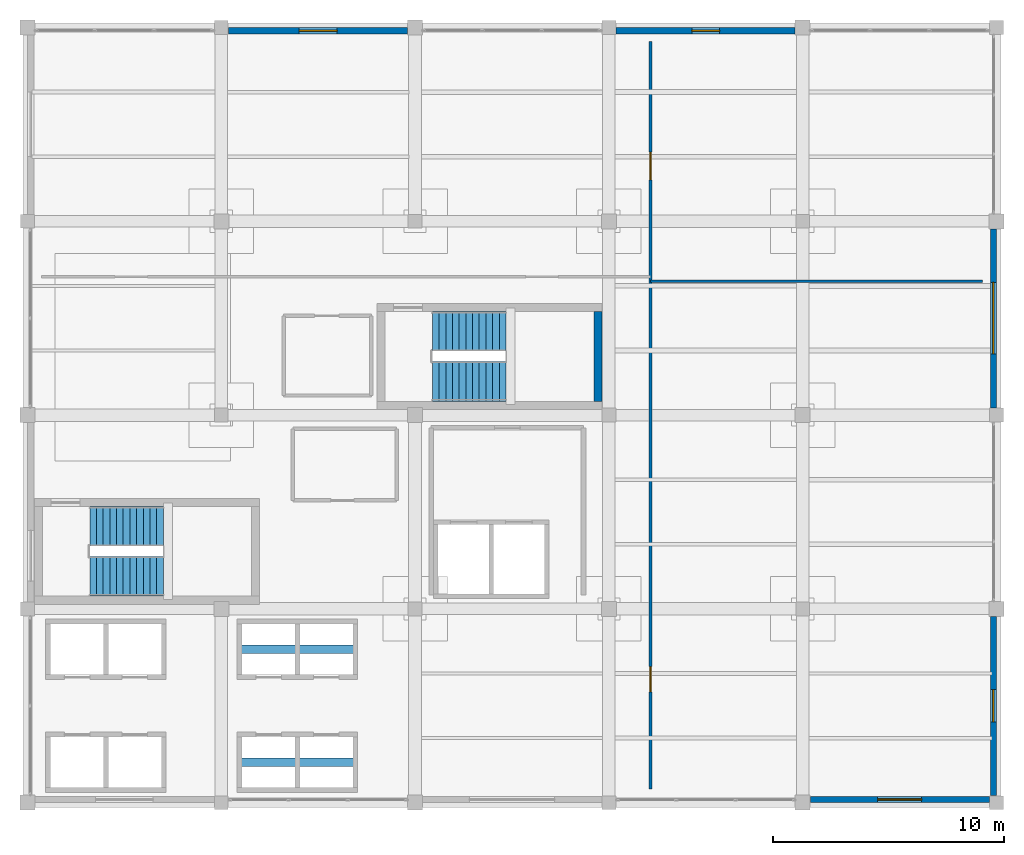
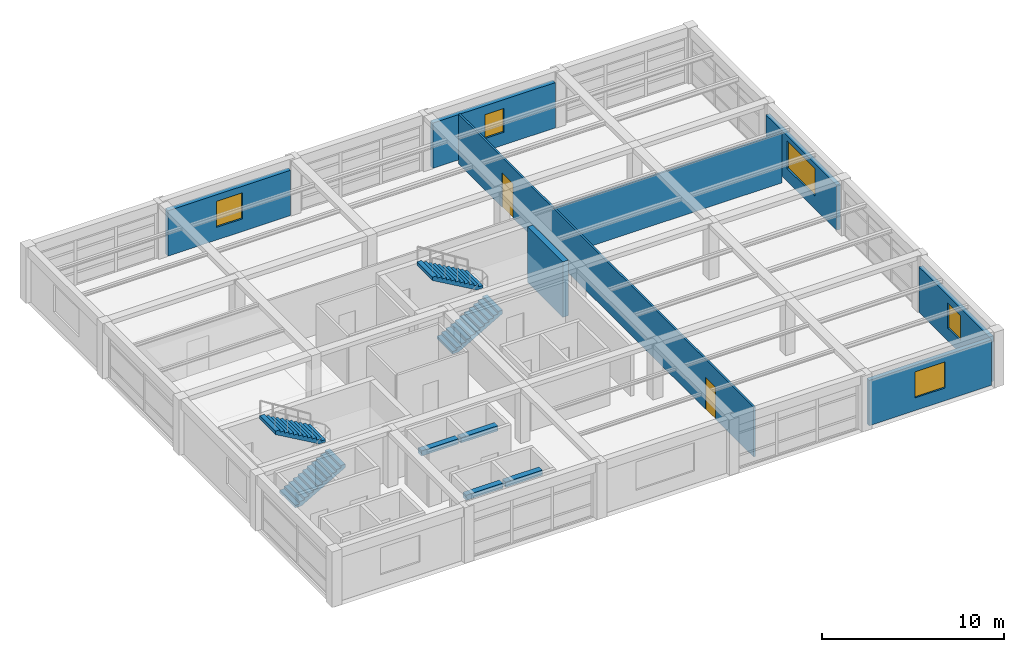
# One storey, part 25 of 26: 8 walls, 5 windows, 4 discrete accessories, 4 stair flights, 2 doors, 7 openings, 2 elements without a shape of their own.
"""IFC4 building model written with IfcOpenShell, lengths in metres."""

from ifc_helpers import new_model, si_unit, direction, frame, frame_2d, origin, origin_2d, place, context, subcontext, project, spatial, polyline, rectangle, outline, extrude, material, layer, layer_set, type_object, element, fill, aggregate, save


model = new_model("IFC4")

# Units and contexts
model_context = context("Model", 3, precision=1e-05, world=origin(), true_north=direction((0.0, 1.0)))
body_context = subcontext(model_context, "Body", "Model", "MODEL_VIEW")
ifc_project = project(units=[si_unit("LENGTHUNIT", "METRE"), si_unit("AREAUNIT", "SQUARE_METRE"), si_unit("VOLUMEUNIT", "CUBIC_METRE"), si_unit("PLANEANGLEUNIT", "RADIAN"), si_unit("MASSUNIT", "GRAM", prefix="KILO")], contexts=[model_context])

# Site, building, storey
site_placement = place(None, origin())
site = spatial("IfcSite", under=ifc_project, at=site_placement, CompositionType="ELEMENT")
building_placement = place(site_placement, origin())
building = spatial("IfcBuilding", under=site, at=building_placement, Name="Almacenes y Pasaje Nevantli", CompositionType="ELEMENT")
storey_placement = place(building_placement, frame((0.0, 0.0, 46.699951171875)))
storey = spatial("IfcBuildingStorey", under=building, at=storey_placement, Name="L11", CompositionType="ELEMENT", Elevation=46.699951171875)

# Wall
ifc_material_1 = material(Name="Concrete C45/55", Category="concrete")
ifc_layer_1 = layer(ifc_material_1, 0.35009765625)
ifc_layer_set_1 = layer_set([ifc_layer_1], Name="Concrete C45/55")
wall_type_1 = type_object("IfcWallType", Name="WL-CORE-350", PredefinedType="SHEAR", material=ifc_layer_set_1)
wall_1_placement = place(storey_placement, frame((142.324951171875, 84.60009765625, 0.0), z_axis=(0.0, 0.0, 1.0), x_axis=(0.0, 1.0, 0.0)))
element("IfcWall", 1, at=wall_1_placement, inside=storey, type_object=wall_type_1, Name="L11 Exit Stair ST-02 East Core Shear Wall", PredefinedType="SHEAR", context=body_context, shape_type="SweptSolid", body=[
    extrude(rectangle(XDim=3.889892578125, YDim=0.35009765625, at=frame_2d((1.94482421875, 0.0))), origin(), (0.0, 0.0, 1.0), 3.719970703125),
])

# Wall, opening, window
ifc_material_2 = material(Name="Architectural Precast Concrete C35/45 Spandrel Wall", Category="concrete")
ifc_layer_2 = layer(ifc_material_2, 0.280029296875)
ifc_layer_set_2 = layer_set([ifc_layer_2], Name="Architectural Precast Concrete C35/45 Spandrel Wall")
wall_type_2 = type_object("IfcWallType", Name="WL-EXT-CANTERA-280", PredefinedType="SOLIDWALL", material=ifc_layer_set_2)
wall_2_placement = place(storey_placement, frame((126.303955078125, 100.659912109375, 0.0), z_axis=(0.0, 0.0, 1.0), x_axis=(1.0, 0.0, 0.0)))
wall_2 = element("IfcWall", 2, at=wall_2_placement, inside=storey, type_object=wall_type_2, Name="L11 Tower North Polychrome Cantera Wall Bay 16", PredefinedType="SOLIDWALL", context=body_context, shape_type="SweptSolid", body=[
    extrude(rectangle(XDim=7.76806640625, YDim=0.280029296875, at=frame_2d((3.884033203125, 0.0))), origin(), (0.0, 0.0, 1.0), 3.0400390625),
])
opening_1_placement = place(wall_2_placement, frame((3.071044921875, 0.0, 0.85009765625)))
opening_1 = element("IfcOpeningElement", 3, at=opening_1_placement, cuts=wall_2, Name="Opening WT-33-242", PredefinedType="OPENING", context=body_context, shape_type="SweptSolid", body=[
    extrude(rectangle(XDim=1.64990234375, YDim=1.75, at=frame_2d((0.824951171875, 0.875))), frame((0.0, 0.14990234375, 0.0), z_axis=(0.0, -1.0, 0.0), x_axis=(1.0, 0.0, 0.0)), (0.0, 0.0, 1.0), 0.300048828125),
])
ifc_material_3 = material(Name="Thermally Broken Aluminium and Low-E Double Glazing", Category="aluminium")
window_type_1 = type_object("IfcWindowType", Name="WN-TWR-1650x1750", PartitioningType="SINGLE_PANEL", PredefinedType="WINDOW", material=ifc_material_3)
window_1_placement = place(opening_1_placement, origin())
window_1 = element("IfcWindow", 4, at=window_1_placement, inside=storey, type_object=window_type_1, Name="L11 Exterior Window WT-33 #242", OverallHeight=1.75, OverallWidth=1.64990234375, PartitioningType="SINGLE_PANEL", PredefinedType="WINDOW", context=body_context, shape_type="SweptSolid", body=[
    extrude(rectangle(XDim=1.64990234375, YDim=1.75, at=frame_2d((0.824951171875, 0.875))), frame((0.0, 0.030029296875, 0.0), z_axis=(0.0, -1.0, 0.0), x_axis=(1.0, 0.0, 0.0)), (0.0, 0.0, 1.0), 0.06005859375),
])
fill(opening_1, window_1)

wall_3_placement = place(storey_placement, frame((143.10400390625, 100.659912109375, 0.0), z_axis=(0.0, 0.0, 1.0), x_axis=(1.0, 0.0, 0.0)))
wall_3 = element("IfcWall", 5, at=wall_3_placement, inside=storey, type_object=wall_type_2, Name="L11 Tower North Polychrome Cantera Wall Bay 18", PredefinedType="SOLIDWALL", context=body_context, shape_type="SweptSolid", body=[
    extrude(rectangle(XDim=7.76806640625, YDim=0.280029296875, at=frame_2d((3.884033203125, 0.0))), origin(), (0.0, 0.0, 1.0), 3.0400390625),
])
opening_2_placement = place(wall_3_placement, frame((3.2958984375, 0.0, 0.85009765625)))
opening_2 = element("IfcOpeningElement", 6, at=opening_2_placement, cuts=wall_3, Name="Opening WT-35-244", PredefinedType="OPENING", context=body_context, shape_type="SweptSolid", body=[
    extrude(rectangle(XDim=1.199951171875, YDim=1.60009765625, at=frame_2d((0.60009765625, 0.800048828125))), frame((0.0, 0.14990234375, 0.0), z_axis=(0.0, -1.0, 0.0), x_axis=(1.0, 0.0, 0.0)), (0.0, 0.0, 1.0), 0.300048828125),
])
ifc_material_4 = material(Name="Thermally Broken Aluminium and Low-E Double Glazing", Category="aluminium")
window_type_2 = type_object("IfcWindowType", Name="WN-TWR-1200x1600", PartitioningType="SINGLE_PANEL", PredefinedType="WINDOW", material=ifc_material_4)
window_2_placement = place(opening_2_placement, origin())
window_2 = element("IfcWindow", 7, at=window_2_placement, inside=storey, type_object=window_type_2, Name="L11 Exterior Window WT-35 #244", OverallHeight=1.60009765625, OverallWidth=1.199951171875, PartitioningType="SINGLE_PANEL", PredefinedType="WINDOW", context=body_context, shape_type="SweptSolid", body=[
    extrude(rectangle(XDim=1.199951171875, YDim=1.60009765625, at=frame_2d((0.60009765625, 0.800048828125))), frame((0.0, 0.030029296875, 0.0), z_axis=(0.0, -1.0, 0.0), x_axis=(1.0, 0.0, 0.0)), (0.0, 0.0, 1.0), 0.06005859375),
])
fill(opening_2, window_2)

ifc_material_5 = material(Name="Cream Architectural Precast Concrete C35/45 Wall", Category="concrete")
ifc_layer_3 = layer(ifc_material_5, 0.260009765625)
ifc_layer_set_3 = layer_set([ifc_layer_3], Name="Cream Architectural Precast Concrete C35/45 Wall")
wall_type_3 = type_object("IfcWallType", Name="WL-EXT-PRECAST-260", PredefinedType="SOLIDWALL", material=ifc_layer_set_3)
wall_4_placement = place(storey_placement, frame((151.528076171875, 67.340087890625, 0.0), z_axis=(0.0, 0.0, 1.0), x_axis=(1.0, 0.0, 0.0)))
wall_4 = element("IfcWall", 8, at=wall_4_placement, inside=storey, type_object=wall_type_3, Name="L11 Tower South Precast Spandrel Wall Bay 19", PredefinedType="SOLIDWALL", context=body_context, shape_type="SweptSolid", body=[
    extrude(rectangle(XDim=7.767822265625, YDim=0.260009765625, at=frame_2d((3.8837890625, 0.0))), origin(), (0.0, 0.0, 1.0), 3.0400390625),
])
opening_3_placement = place(wall_4_placement, frame((2.922119140625, 0.0, 0.85009765625)))
opening_3 = element("IfcOpeningElement", 9, at=opening_3_placement, cuts=wall_4, Name="Opening WT-32-245", PredefinedType="OPENING", context=body_context, shape_type="SweptSolid", body=[
    extrude(rectangle(XDim=1.89990234375, YDim=1.75, at=frame_2d((0.949951171875, 0.875))), frame((0.0, 0.139892578125, 0.0), z_axis=(0.0, -1.0, 0.0), x_axis=(1.0, 0.0, 0.0)), (0.0, 0.0, 1.0), 0.280029296875),
])
ifc_material_6 = material(Name="Thermally Broken Aluminium and Low-E Double Glazing", Category="aluminium")
window_type_3 = type_object("IfcWindowType", Name="WN-TWR-1900x1750", PartitioningType="SINGLE_PANEL", PredefinedType="WINDOW", material=ifc_material_6)
window_3_placement = place(opening_3_placement, origin())
window_3 = element("IfcWindow", 10, at=window_3_placement, inside=storey, type_object=window_type_3, Name="L11 Exterior Window WT-32 #245", OverallHeight=1.75, OverallWidth=1.89990234375, PartitioningType="SINGLE_PANEL", PredefinedType="WINDOW", context=body_context, shape_type="SweptSolid", body=[
    extrude(rectangle(XDim=1.89990234375, YDim=1.75, at=frame_2d((0.949951171875, 0.875))), frame((0.0, 0.030029296875, 0.0), z_axis=(0.0, -1.0, 0.0), x_axis=(1.0, 0.0, 0.0)), (0.0, 0.0, 1.0), 0.06005859375),
])
fill(opening_3, window_3)

wall_5_placement = place(storey_placement, frame((159.4599609375, 67.50390625, 0.0), z_axis=(0.0, 0.0, 1.0), x_axis=(0.0, 1.0, 0.0)))
wall_5 = element("IfcWall", 11, at=wall_5_placement, inside=storey, type_object=wall_type_3, Name="L11 Tower East Precast Wall Bay 9", PredefinedType="SOLIDWALL", context=body_context, shape_type="SweptSolid", body=[
    extrude(rectangle(XDim=7.76806640625, YDim=0.260009765625, at=frame_2d((3.884033203125, 0.0))), origin(), (0.0, 0.0, 1.0), 3.0400390625),
])
opening_4_placement = place(wall_5_placement, frame((3.196044921875, 0.0, 0.85009765625)))
opening_4 = element("IfcOpeningElement", 12, at=opening_4_placement, cuts=wall_5, Name="Opening WT-34-246", PredefinedType="OPENING", context=body_context, shape_type="SweptSolid", body=[
    extrude(rectangle(XDim=1.39990234375, YDim=1.699951171875, at=frame_2d((0.699951171875, 0.85009765625))), frame((0.0, 0.139892578125, 0.0), z_axis=(0.0, -1.0, 0.0), x_axis=(1.0, 0.0, 0.0)), (0.0, 0.0, 1.0), 0.280029296875),
])
ifc_material_7 = material(Name="Thermally Broken Aluminium and Low-E Double Glazing", Category="aluminium")
window_type_4 = type_object("IfcWindowType", Name="WN-TWR-1400x1700", PartitioningType="SINGLE_PANEL", PredefinedType="WINDOW", material=ifc_material_7)
window_4_placement = place(opening_4_placement, origin())
window_4 = element("IfcWindow", 13, at=window_4_placement, inside=storey, type_object=window_type_4, Name="L11 Exterior Window WT-34 #246", OverallHeight=1.699951171875, OverallWidth=1.39990234375, PartitioningType="SINGLE_PANEL", PredefinedType="WINDOW", context=body_context, shape_type="SweptSolid", body=[
    extrude(rectangle(XDim=1.39990234375, YDim=1.699951171875, at=frame_2d((0.699951171875, 0.85009765625))), frame((0.0, 0.030029296875, 0.0), z_axis=(0.0, -1.0, 0.0), x_axis=(1.0, 0.0, 0.0)), (0.0, 0.0, 1.0), 0.06005859375),
])
fill(opening_4, window_4)

wall_6_placement = place(storey_placement, frame((159.4599609375, 84.303955078125, 0.0), z_axis=(0.0, 0.0, 1.0), x_axis=(0.0, 1.0, 0.0)))
wall_6 = element("IfcWall", 14, at=wall_6_placement, inside=storey, type_object=wall_type_3, Name="L11 Tower East Precast Wall Bay 11", PredefinedType="SOLIDWALL", context=body_context, shape_type="SweptSolid", body=[
    extrude(rectangle(XDim=7.76806640625, YDim=0.260009765625, at=frame_2d((3.884033203125, 0.0))), origin(), (0.0, 0.0, 1.0), 3.0400390625),
])
opening_5_placement = place(wall_6_placement, frame((2.345947265625, 0.0, 0.85009765625)))
opening_5 = element("IfcOpeningElement", 15, at=opening_5_placement, cuts=wall_6, Name="Opening WT-28-248", PredefinedType="OPENING", context=body_context, shape_type="SweptSolid", body=[
    extrude(rectangle(XDim=3.10009765625, YDim=1.85009765625, at=frame_2d((1.550048828125, 0.925048828125))), frame((0.0, 0.139892578125, 0.0), z_axis=(0.0, -1.0, 0.0), x_axis=(1.0, 0.0, 0.0)), (0.0, 0.0, 1.0), 0.280029296875),
])
ifc_material_8 = material(Name="Thermally Broken Aluminium and Low-E Double Glazing", Category="aluminium")
window_type_5 = type_object("IfcWindowType", Name="WN-TWR-3100x1850", PartitioningType="SINGLE_PANEL", PredefinedType="WINDOW", material=ifc_material_8)
window_5_placement = place(opening_5_placement, origin())
window_5 = element("IfcWindow", 16, at=window_5_placement, inside=storey, type_object=window_type_5, Name="L11 Exterior Window WT-28 #248", OverallHeight=1.85009765625, OverallWidth=3.10009765625, PartitioningType="SINGLE_PANEL", PredefinedType="WINDOW", context=body_context, shape_type="SweptSolid", body=[
    extrude(rectangle(XDim=3.10009765625, YDim=1.85009765625, at=frame_2d((1.550048828125, 0.925048828125))), frame((0.0, 0.030029296875, 0.0), z_axis=(0.0, -1.0, 0.0), x_axis=(1.0, 0.0, 0.0)), (0.0, 0.0, 1.0), 0.06005859375),
])
fill(opening_5, window_5)

# Wall, openings, doors
ifc_material_9 = material(Name="Standard Steel-Stud Gypsum Partition", Category="steel")
ifc_layer_4 = layer(ifc_material_9, 0.1201171875)
ifc_layer_set_4 = layer_set([ifc_layer_4], Name="Standard Steel-Stud Gypsum Partition")
wall_type_4 = type_object("IfcWallType", Name="WL-PART-120", PredefinedType="PARTITIONING", material=ifc_layer_set_4)
wall_7_placement = place(storey_placement, frame((144.60009765625, 67.800048828125, 0.0), z_axis=(0.0, 0.0, 1.0), x_axis=(0.0, 1.0, 0.0)))
wall_7 = element("IfcWall", 17, at=wall_7_placement, inside=storey, type_object=wall_type_4, Name="L11 Interior Partition Wall IW-120 #200", PredefinedType="PARTITIONING", context=body_context, shape_type="SweptSolid", body=[
    extrude(rectangle(XDim=32.39990234375, YDim=0.1201171875, at=frame_2d((16.199951171875, 0.0))), origin(), (0.0, 0.0, 1.0), 3.340087890625),
])
opening_6_placement = place(wall_7_placement, frame((4.199951171875, 0.0, 0.0)))
opening_6 = element("IfcOpeningElement", 18, at=opening_6_placement, cuts=wall_7, Name="Opening ID-L11-109", PredefinedType="OPENING", context=body_context, shape_type="SweptSolid", body=[
    extrude(rectangle(XDim=1.10009765625, YDim=2.14990234375, at=frame_2d((0.550048828125, 1.074951171875))), frame((0.0, 0.070068359375, 0.0), z_axis=(0.0, -1.0, 0.0), x_axis=(1.0, 0.0, 0.0)), (0.0, 0.0, 1.0), 0.14013671875),
])
opening_7_placement = place(wall_7_placement, frame((26.39990234375, 0.0, 0.0)))
opening_7 = element("IfcOpeningElement", 19, at=opening_7_placement, cuts=wall_7, Name="Opening ID-L11-110", PredefinedType="OPENING", context=body_context, shape_type="SweptSolid", body=[
    extrude(rectangle(XDim=1.199951171875, YDim=2.300048828125, at=frame_2d((0.60009765625, 1.14990234375))), frame((0.0, 0.070068359375, 0.0), z_axis=(0.0, -1.0, 0.0), x_axis=(1.0, 0.0, 0.0)), (0.0, 0.0, 1.0), 0.14013671875),
])
ifc_material_10 = material(Name="Anodized Aluminium and Tempered Acoustic Glass", Category="aluminium")
door_type_1 = type_object("IfcDoorType", Name="DR-ACU-1200R", OperationType="SINGLE_SWING_RIGHT", PredefinedType="DOOR", material=ifc_material_10)
door_1_placement = place(opening_7_placement, origin())
door_1 = element("IfcDoor", 20, at=door_1_placement, inside=storey, type_object=door_type_1, Name="L11 L11 Conference Metepec Door", OperationType="SINGLE_SWING_RIGHT", OverallHeight=2.300048828125, OverallWidth=1.199951171875, PredefinedType="DOOR", context=body_context, shape_type="SweptSolid", body=[
    extrude(rectangle(XDim=1.199951171875, YDim=2.300048828125, at=frame_2d((0.60009765625, 1.14990234375))), frame((0.0, 0.02490234375, 0.0), z_axis=(0.0, -1.0, 0.0), x_axis=(1.0, 0.0, 0.0)), (0.0, 0.0, 1.0), 0.050048828125),
])
fill(opening_7, door_1)
ifc_material_11 = material(Name="Powder-Coated Hollow Metal", Category="steel")
door_type_2 = type_object("IfcDoorType", Name="DR-INT-1100", OperationType="SINGLE_SWING_LEFT", PredefinedType="DOOR", material=ifc_material_11)
door_2_placement = place(opening_6_placement, origin())
door_2 = element("IfcDoor", 21, at=door_2_placement, inside=storey, type_object=door_type_2, Name="L11 L11 East Executive Wing Door", OperationType="SINGLE_SWING_LEFT", OverallHeight=2.14990234375, OverallWidth=1.10009765625, PredefinedType="DOOR", context=body_context, shape_type="SweptSolid", body=[
    extrude(rectangle(XDim=1.10009765625, YDim=2.14990234375, at=frame_2d((0.550048828125, 1.074951171875))), frame((0.0, 0.02490234375, 0.0), z_axis=(0.0, -1.0, 0.0), x_axis=(1.0, 0.0, 0.0)), (0.0, 0.0, 1.0), 0.050048828125),
])
fill(opening_6, door_2)

# Wall
wall_8_placement = place(storey_placement, frame((144.60009765625, 89.800048828125, 0.0), z_axis=(0.0, 0.0, 1.0), x_axis=(1.0, 0.0, 0.0)))
element("IfcWall", 22, at=wall_8_placement, inside=storey, type_object=wall_type_4, Name="L11 Interior Partition Wall IW-120 #201", PredefinedType="PARTITIONING", context=body_context, shape_type="SweptSolid", body=[
    extrude(rectangle(XDim=14.39990234375, YDim=0.1201171875, at=frame_2d((7.199951171875, 0.0))), origin(), (0.0, 0.0, 1.0), 3.340087890625),
])

# Stair, stair flights
ifc_material_12 = material(Name="Concrete C35/45", Category="concrete")
stair_type = type_object("IfcStairType", Name="STR-CORE-1720", PredefinedType="HALF_TURN_STAIR", material=ifc_material_12)
stair_1_placement = place(storey_placement, origin())
stair_1 = element("IfcStair", 23, at=stair_1_placement, inside=storey, type_object=stair_type, Name="L11 Staircase ST-01", PredefinedType="HALF_TURN_STAIR")
ifc_material_13 = material(Name="Concrete C35/45", Category="concrete")
ifc_layer_5 = layer(ifc_material_13, 0.199951171875)
ifc_layer_set_5 = layer_set([ifc_layer_5], Name="Concrete C35/45")
stair_flight_type = type_object("IfcStairFlightType", Name="SFL-RC-200", PredefinedType="STRAIGHT", material=ifc_layer_set_5)
stair_flight_1_placement = place(storey_placement, frame((120.300048828125, 77.010009765625, 0.0), z_axis=(0.0, 0.0, 1.0), x_axis=(1.0, 0.0, 0.0)))
stair_flight_1 = element("IfcStairFlight", 24, at=stair_flight_1_placement, type_object=stair_flight_type, Name="ST-01-L11 flight 1", NumberOfRisers=12, NumberOfTreads=11, PredefinedType="STRAIGHT", RiserHeight=0.166667, TreadLength=0.29, context=body_context, shape_type="SweptSolid", body=[
    extrude(outline(polyline([(0.0, 0.0), (0.0, 0.166748046875), (0.2900390625, 0.166748046875), (0.2900390625, 0.333251953125), (0.580078125, 0.333251953125), (0.580078125, 0.5), (0.8701171875, 0.5), (0.8701171875, 0.666748046875), (1.159912109375, 0.666748046875), (1.159912109375, 0.833251953125), (1.449951171875, 0.833251953125), (1.449951171875, 1.0), (1.739990234375, 1.0), (1.739990234375, 1.166748046875), (2.030029296875, 1.166748046875), (2.030029296875, 1.333251953125), (2.320068359375, 1.333251953125), (2.320068359375, 1.5), (2.610107421875, 1.5), (2.610107421875, 1.666748046875), (2.89990234375, 1.666748046875), (2.89990234375, 1.833251953125), (3.18994140625, 1.833251953125), (3.18994140625, 2.0), (3.18994140625, 1.602783203125), (0.4013671875, 0.0), (0.0, 0.0)])), frame((0.0, 0.85986328125, 0.0), z_axis=(0.0, -1.0, 0.0), x_axis=(1.0, 0.0, 0.0)), (0.0, 0.0, 1.0), 1.719970703125),
])
stair_flight_2_placement = place(storey_placement, frame((123.489990234375, 79.179931640625, 2.0), z_axis=(0.0, 0.0, 1.0), x_axis=(-1.0, 0.0, 0.0)))
stair_flight_2 = element("IfcStairFlight", 25, at=stair_flight_2_placement, type_object=stair_flight_type, Name="ST-01-L11 flight 2", NumberOfRisers=12, NumberOfTreads=11, PredefinedType="STRAIGHT", RiserHeight=0.166667, TreadLength=0.29, context=body_context, shape_type="SweptSolid", body=[
    extrude(outline(polyline([(0.0, 0.0), (0.0, 0.166748046875), (0.2900390625, 0.166748046875), (0.2900390625, 0.333251953125), (0.580078125, 0.333251953125), (0.580078125, 0.5), (0.8701171875, 0.5), (0.8701171875, 0.666748046875), (1.159912109375, 0.666748046875), (1.159912109375, 0.833251953125), (1.449951171875, 0.833251953125), (1.449951171875, 1.0), (1.739990234375, 1.0), (1.739990234375, 1.166748046875), (2.030029296875, 1.166748046875), (2.030029296875, 1.333251953125), (2.320068359375, 1.333251953125), (2.320068359375, 1.5), (2.610107421875, 1.5), (2.610107421875, 1.666748046875), (2.89990234375, 1.666748046875), (2.89990234375, 1.833251953125), (3.18994140625, 1.833251953125), (3.18994140625, 2.0), (3.18994140625, 1.602783203125), (0.4013671875, 0.0), (0.0, 0.0)])), frame((0.0, 0.85986328125, 0.0), z_axis=(0.0, -1.0, 0.0), x_axis=(1.0, 0.0, 0.0)), (0.0, 0.0, 1.0), 1.719970703125),
])
aggregate(stair_1, [stair_flight_1, stair_flight_2])

stair_2_placement = place(storey_placement, origin())
stair_2 = element("IfcStair", 26, at=stair_2_placement, inside=storey, type_object=stair_type, Name="L11 Staircase ST-02", PredefinedType="HALF_TURN_STAIR")
stair_flight_3_placement = place(storey_placement, frame((135.14990234375, 85.4599609375, 0.0), z_axis=(0.0, 0.0, 1.0), x_axis=(1.0, 0.0, 0.0)))
stair_flight_3 = element("IfcStairFlight", 27, at=stair_flight_3_placement, type_object=stair_flight_type, Name="ST-02-L11 flight 1", NumberOfRisers=12, NumberOfTreads=11, PredefinedType="STRAIGHT", RiserHeight=0.166667, TreadLength=0.29, context=body_context, shape_type="SweptSolid", body=[
    extrude(outline(polyline([(0.0, 0.0), (0.0, 0.166748046875), (0.2900390625, 0.166748046875), (0.2900390625, 0.333251953125), (0.580078125, 0.333251953125), (0.580078125, 0.5), (0.8701171875, 0.5), (0.8701171875, 0.666748046875), (1.159912109375, 0.666748046875), (1.159912109375, 0.833251953125), (1.449951171875, 0.833251953125), (1.449951171875, 1.0), (1.739990234375, 1.0), (1.739990234375, 1.166748046875), (2.030029296875, 1.166748046875), (2.030029296875, 1.333251953125), (2.320068359375, 1.333251953125), (2.320068359375, 1.5), (2.610107421875, 1.5), (2.610107421875, 1.666748046875), (2.89990234375, 1.666748046875), (2.89990234375, 1.833251953125), (3.18994140625, 1.833251953125), (3.18994140625, 2.0), (3.18994140625, 1.602783203125), (0.4013671875, 0.0), (0.0, 0.0)])), frame((0.0, 0.85986328125, 0.0), z_axis=(0.0, -1.0, 0.0), x_axis=(1.0, 0.0, 0.0)), (0.0, 0.0, 1.0), 1.719970703125),
])
stair_flight_4_placement = place(storey_placement, frame((138.340087890625, 87.6298828125, 2.0), z_axis=(0.0, 0.0, 1.0), x_axis=(-1.0, 0.0, 0.0)))
stair_flight_4 = element("IfcStairFlight", 28, at=stair_flight_4_placement, type_object=stair_flight_type, Name="ST-02-L11 flight 2", NumberOfRisers=12, NumberOfTreads=11, PredefinedType="STRAIGHT", RiserHeight=0.166667, TreadLength=0.29, context=body_context, shape_type="SweptSolid", body=[
    extrude(outline(polyline([(0.0, 0.0), (0.0, 0.166748046875), (0.2900390625, 0.166748046875), (0.2900390625, 0.333251953125), (0.580078125, 0.333251953125), (0.580078125, 0.5), (0.8701171875, 0.5), (0.8701171875, 0.666748046875), (1.159912109375, 0.666748046875), (1.159912109375, 0.833251953125), (1.449951171875, 0.833251953125), (1.449951171875, 1.0), (1.739990234375, 1.0), (1.739990234375, 1.166748046875), (2.030029296875, 1.166748046875), (2.030029296875, 1.333251953125), (2.320068359375, 1.333251953125), (2.320068359375, 1.5), (2.610107421875, 1.5), (2.610107421875, 1.666748046875), (2.89990234375, 1.666748046875), (2.89990234375, 1.833251953125), (3.18994140625, 1.833251953125), (3.18994140625, 2.0), (3.18994140625, 1.602783203125), (0.4013671875, 0.0), (0.0, 0.0)])), frame((0.0, 0.85986328125, 0.0), z_axis=(0.0, -1.0, 0.0), x_axis=(1.0, 0.0, 0.0)), (0.0, 0.0, 1.0), 1.719970703125),
])
aggregate(stair_2, [stair_flight_3, stair_flight_4])

# Discrete accessories
ifc_material_14 = material(Name="Steel ASTM A36", Category="steel")
ifc_layer_6 = layer(ifc_material_14, 0.35009765625)
ifc_layer_set_6 = layer_set([ifc_layer_6], Name="Steel ASTM A36")
discrete_accessory_type = type_object("IfcDiscreteAccessoryType", Name="ACC-LIFT-MACH", PredefinedType="USERDEFINED", material=ifc_layer_set_6)
for number, where, z_axis, x_axis, name in (
    (29, (128.050048828125, 68.949951171875, 2.675048828125), (0.0, 0.0, 1.0), (1.0, 0.0, 0.0), "Elevator Traction Sheave Machine ELV-P01"),
    (30, (130.550048828125, 68.949951171875, 2.675048828125), (0.0, 0.0, 1.0), (1.0, 0.0, 0.0), "Elevator Traction Sheave Machine ELV-P02"),
    (31, (128.050048828125, 73.85009765625, 2.675048828125), (0.0, 0.0, 1.0), (1.0, 0.0, 0.0), "Elevator Traction Sheave Machine ELV-P03"),
    (32, (130.550048828125, 73.85009765625, 2.675048828125), (0.0, 0.0, 1.0), (1.0, 0.0, 0.0), "Elevator Traction Sheave Machine ELV-P04"),
):
    element("IfcDiscreteAccessory", number, at=place(storey_placement, frame(where, z_axis=z_axis, x_axis=x_axis)), inside=storey, type_object=discrete_accessory_type, Name=name, ObjectType="TRACTION MACHINE", PredefinedType="USERDEFINED", context=body_context, shape_type="SweptSolid", body=[
        extrude(rectangle(XDim=2.340087890625, YDim=0.360107421875, at=origin_2d()), origin(), (0.0, 0.0, 1.0), 0.35009765625),
    ])

save(model, "model.ifc")
